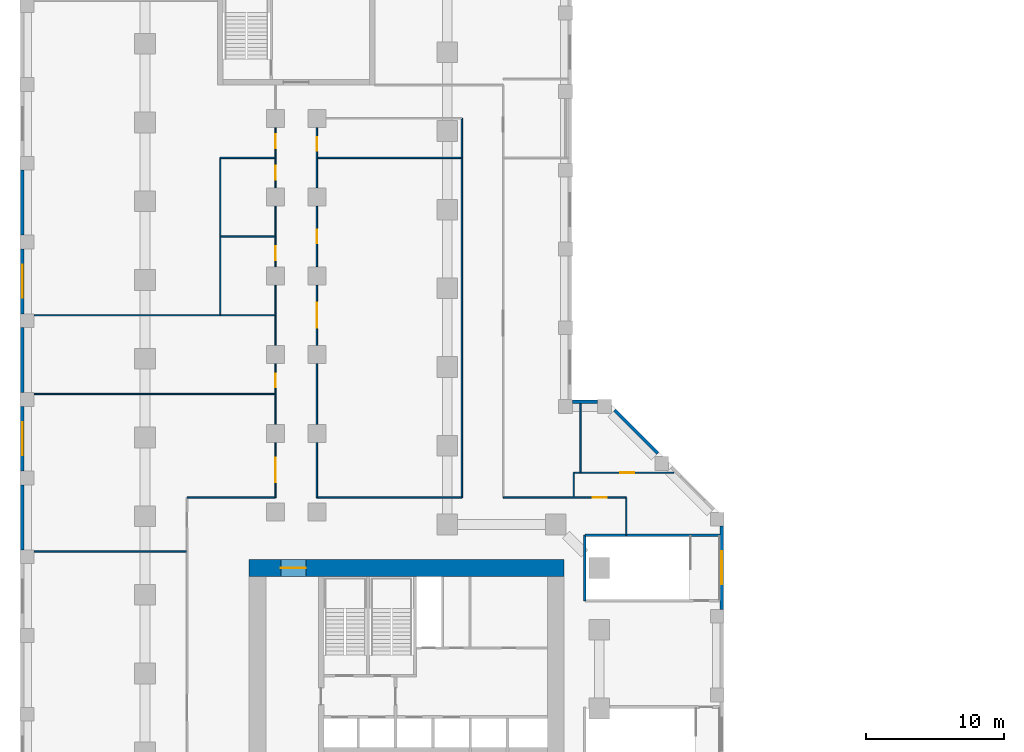
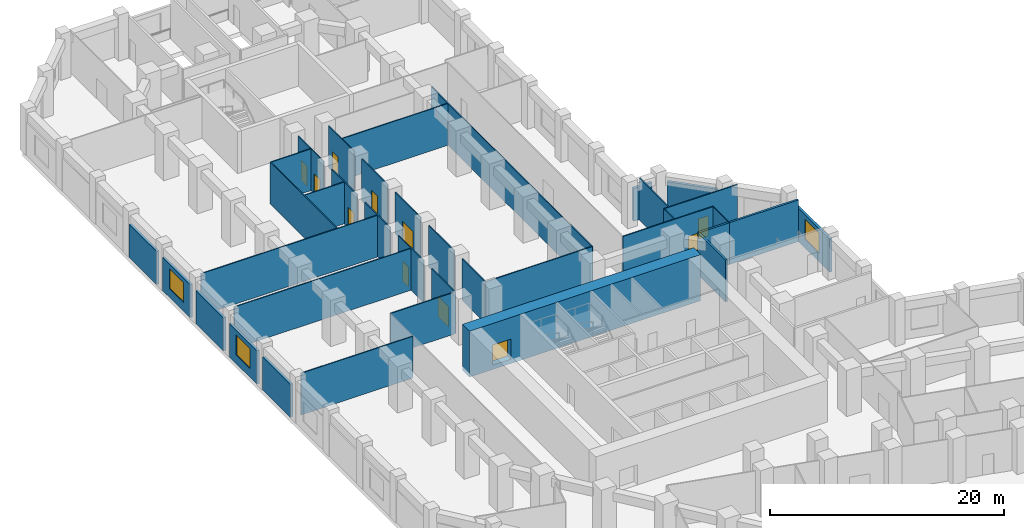
# One storey, part 9 of 13: 37 walls, 11 doors, 3 windows, 14 openings.
"""IFC4 building model written with IfcOpenShell, lengths in metres."""

import ifcopenshell
import ifcopenshell.guid

model = None  # the IFC model being written
_history = None  # IfcOwnerHistory: only IFC2X3 demands one
_inside = {}  # id of a spatial element -> (the spatial element, [elements in it])
_under = {}  # id of a project, library or spatial element -> (it, [spatial elements below it])
_declared = {}  # id of a project -> (the project, [libraries it declares])
_typed = {}  # id of a type object -> (the type object, [elements of that type])
_made_of = {}  # id of a material, layer set ... -> (it, [elements and type objects made of it])


def new_model(schema):
    """Start an empty IFC model of exactly this schema.

    Asked for "IFC4X3", IfcOpenShell would pick the latest addendum, in which some entities
    have other attributes; the version numbers below select the first issue.
    IFC2X3 requires an IfcOwnerHistory on every rooted entity: one is made here for all.
    """
    global model, _history
    if schema == "IFC4X3":
        model = ifcopenshell.file(schema_version=(4, 3, 0, 0))
    else:
        model = ifcopenshell.file(schema=schema)
    _inside.clear()
    _under.clear()
    _declared.clear()
    _typed.clear()
    _made_of.clear()
    _history = None
    if model.schema == "IFC2X3":
        org = make("IfcOrganization", Name="unknown")
        user = make(
            "IfcPersonAndOrganization",
            ThePerson=make("IfcPerson", FamilyName="unknown"),
            TheOrganization=org,
        )
        app = make(
            "IfcApplication",
            ApplicationDeveloper=org,
            Version="unknown",
            ApplicationFullName="unknown",
            ApplicationIdentifier="unknown",
        )
        _history = make(
            "IfcOwnerHistory",
            OwningUser=user,
            OwningApplication=app,
            ChangeAction="ADDED",
            CreationDate=0,
        )
    return model


def make(cls, **values):
    """One entity of the class cls with the attributes given. An attribute that is None is left unset."""
    return model.create_entity(
        cls, **{name: value for name, value in values.items() if value is not None}
    )


def rooted(cls, **values):
    """An entity with a GlobalId (a new one), such as an element, a storey or a relation."""
    return make(cls, GlobalId=ifcopenshell.guid.new(), OwnerHistory=_history, **values)


def si_unit(unit_type, name, prefix=None):
    """IfcSIUnit, for example si_unit("LENGTHUNIT", "METRE", prefix="MILLI")."""
    return make("IfcSIUnit", UnitType=unit_type, Prefix=prefix, Name=name)


def assignment(units):
    """IfcUnitAssignment: the units of a project."""
    return None if units is None else make("IfcUnitAssignment", Units=units)


def point(xyz):
    """IfcCartesianPoint."""
    return None if xyz is None else make("IfcCartesianPoint", Coordinates=xyz)


def direction(xyz):
    """IfcDirection."""
    return None if xyz is None else make("IfcDirection", DirectionRatios=xyz)


def frame(location, z_axis=None, x_axis=None):
    """IfcAxis2Placement3D, a coordinate frame: its origin and axes. An axis left out is left unset."""
    return make(
        "IfcAxis2Placement3D",
        Location=point(location),
        Axis=direction(z_axis),
        RefDirection=direction(x_axis),
    )


def frame_2d(location, x_axis=None):
    """IfcAxis2Placement2D, a coordinate frame in the plane: its origin and x axis."""
    return make(
        "IfcAxis2Placement2D", Location=point(location), RefDirection=direction(x_axis)
    )


def origin():
    """The frame at (0, 0, 0) with its axes left unset."""
    return frame((0.0, 0.0, 0.0))


def place(relative_to, where):
    """IfcLocalPlacement: puts the frame where relative to a parent placement (None: the world)."""
    return make(
        "IfcLocalPlacement", PlacementRelTo=relative_to, RelativePlacement=where
    )


def context(
    kind, dimensions, precision=None, world=None, true_north=None, identifier=None
):
    """IfcGeometricRepresentationContext, for example the 3D "Model" context."""
    return make(
        "IfcGeometricRepresentationContext",
        ContextIdentifier=identifier,
        ContextType=kind,
        CoordinateSpaceDimension=dimensions,
        Precision=precision,
        WorldCoordinateSystem=world,
        TrueNorth=true_north,
    )


def subcontext(parent, identifier, kind, view, scale=None):
    """IfcGeometricRepresentationSubContext, for example "Body" below "Model"."""
    return make(
        "IfcGeometricRepresentationSubContext",
        ContextIdentifier=identifier,
        ContextType=kind,
        ParentContext=parent,
        TargetScale=scale,
        TargetView=view,
    )


def project(units=None, contexts=None):
    """IfcProject with its units and contexts."""
    return rooted(
        "IfcProject",
        Name="project",
        RepresentationContexts=contexts,
        UnitsInContext=assignment(units),
    )


def spatial(cls, under=None, at=None, **own):
    """A site, building, storey or space (cls), placed at a placement, below another one or the project."""
    s = rooted(cls, ObjectPlacement=at, **own)
    if under is not None:
        _under.setdefault(under.id(), (under, []))[1].append(s)
    return s


def profile(cls, at=None, kind="AREA", **sizes):
    """A parametric profile (cls). Its sizes go by their IFC names, for example OverallWidth=200.0."""
    return make(cls, ProfileType=kind, Position=at, **sizes)


def rectangle(**sizes):
    """IfcRectangleProfileDef."""
    return profile("IfcRectangleProfileDef", **sizes)


def extrude(swept, where, along, depth):
    """IfcExtrudedAreaSolid: the profile swept, set in the frame where, extruded along a direction by depth."""
    return make(
        "IfcExtrudedAreaSolid",
        SweptArea=swept,
        Position=where,
        ExtrudedDirection=direction(along),
        Depth=depth,
    )


def shape(context_of_items, identifier, shape_type, items):
    """IfcShapeRepresentation: the items that make up one representation, for example the "Body"."""
    return make(
        "IfcShapeRepresentation",
        ContextOfItems=context_of_items,
        RepresentationIdentifier=identifier,
        RepresentationType=shape_type,
        Items=items,
    )


def material(Name=None, Category=None):
    """IfcMaterial."""
    return make("IfcMaterial", Name=Name, Category=Category)


def layer(
    of_material, thickness, ventilated=None, Name=None, Category=None, Priority=None
):
    """IfcMaterialLayer: one layer of a wall or slab, of a material (None: an air gap)."""
    return make(
        "IfcMaterialLayer",
        Material=of_material,
        LayerThickness=thickness,
        IsVentilated=ventilated,
        Name=Name,
        Category=Category,
        Priority=Priority,
    )


def layer_set(layers, Name=None):
    """IfcMaterialLayerSet."""
    return make("IfcMaterialLayerSet", MaterialLayers=layers, LayerSetName=Name)


def made_of(thing, what):
    """Note that an element or type object is made of a material, layer set ...; save() writes the relation."""
    if what is not None:
        _made_of.setdefault(what.id(), (what, []))[1].append(thing)
    return thing


def type_object(cls, material=None, **own):
    """A type object (cls), such as IfcWallType, which elements share."""
    return made_of(rooted(cls, **own), material)


def element(
    cls,
    number,
    at=None,
    inside=None,
    cuts=None,
    type_object=None,
    material=None,
    context=None,
    identifier="Body",
    shape_type=None,
    held_by="IfcProductDefinitionShape",
    body=None,
    shapes=None,
    **own,
):
    """One element of the class cls, such as IfcWall. Its Tag is "e" and its number.

    at: its placement. inside: the storey or other place that contains it. cuts: it is an
    opening in that element (IfcRelVoidsElement). A single representation is given by context,
    identifier, shape_type and body (its items); several are given by shapes. held_by: the class
    of the entity that holds the representations. save() writes the other relations.
    """
    e = rooted(cls, Tag="e%d" % number, ObjectPlacement=at, **own)
    if body is not None:
        shapes = [shape(context, identifier, shape_type, body)]
    if shapes is not None:
        e.Representation = make(held_by, Representations=shapes)
    if inside is not None:
        _inside.setdefault(inside.id(), (inside, []))[1].append(e)
    if cuts is not None:
        rooted(
            "IfcRelVoidsElement", RelatingBuildingElement=cuts, RelatedOpeningElement=e
        )
    if type_object is not None:
        _typed.setdefault(type_object.id(), (type_object, []))[1].append(e)
    return made_of(e, material)


def fill(opening, filler):
    """IfcRelFillsElement: the door or window that sits in an opening."""
    return rooted(
        "IfcRelFillsElement",
        RelatingOpeningElement=opening,
        RelatedBuildingElement=filler,
    )


def aggregate(whole, parts):
    """IfcRelAggregates: a whole, such as a stair, and the parts it consists of."""
    return rooted("IfcRelAggregates", RelatingObject=whole, RelatedObjects=parts)


def save(model, path):
    """Write the relations noted so far, then the file.

    IfcRelAggregates (storeys below a building ...), IfcRelContainedInSpatialStructure (elements
    in a storey), IfcRelDefinesByType, IfcRelAssociatesMaterial and IfcRelDeclares: one each for
    every whole, place, type object, material and project.
    """
    for whole, parts in _under.values():
        aggregate(whole, parts)
    for where, things in _inside.values():
        rooted(
            "IfcRelContainedInSpatialStructure",
            RelatedElements=things,
            RelatingStructure=where,
        )
    for kind, things in _typed.values():
        rooted("IfcRelDefinesByType", RelatedObjects=things, RelatingType=kind)
    for what, things in _made_of.values():
        rooted("IfcRelAssociatesMaterial", RelatedObjects=things, RelatingMaterial=what)
    for by, libraries in _declared.values():
        rooted("IfcRelDeclares", RelatingContext=by, RelatedDefinitions=libraries)
    model.write(path)


model = new_model("IFC4")

# Units and contexts
model_context = context("Model", 3, precision=1e-05, world=origin(), true_north=direction((0.0, 1.0)))
body_context = subcontext(model_context, "Body", "Model", "MODEL_VIEW")
ifc_project = project(units=[si_unit("LENGTHUNIT", "METRE"), si_unit("AREAUNIT", "SQUARE_METRE"), si_unit("VOLUMEUNIT", "CUBIC_METRE"), si_unit("PLANEANGLEUNIT", "RADIAN"), si_unit("MASSUNIT", "GRAM", prefix="KILO")], contexts=[model_context])

# Site, building, storey
site_placement = place(None, origin())
site = spatial("IfcSite", under=ifc_project, at=site_placement, CompositionType="ELEMENT")
building_placement = place(site_placement, origin())
building = spatial("IfcBuilding", under=site, at=building_placement, Name="Meshkara Civic Tower", CompositionType="ELEMENT")
storey_placement = place(building_placement, frame((0.0, 0.0, 28.199951171875)))
storey = spatial("IfcBuildingStorey", under=building, at=storey_placement, Name="L05", CompositionType="ELEMENT", Elevation=28.199951171875)

# Wall, opening, door
ifc_material_1 = material(Name="Concrete C80", Category="concrete")
ifc_layer_1 = layer(ifc_material_1, 1.199951171875)
ifc_layer_set_1 = layer_set([ifc_layer_1], Name="Core ring wall 1200 C80")
wall_type_1 = type_object("IfcWallType", Name="Core ring wall 1200 C80", PredefinedType="SHEAR", material=ifc_layer_set_1)
wall_1_placement = place(storey_placement, frame((8.0, 36.300048828125, -0.449951171875), z_axis=(0.0, 0.0, 1.0), x_axis=(1.0, 0.0, 0.0)))
wall_1 = element("IfcWall", 1, at=wall_1_placement, inside=storey, type_object=wall_type_1, Name="L05-C002", PredefinedType="SHEAR", context=body_context, shape_type="SweptSolid", body=[
    extrude(rectangle(XDim=22.800048828125, YDim=1.199951171875, at=frame_2d((11.39990234375, 0.0))), origin(), (0.0, 0.0, 1.0), 4.800048828125),
])
opening_1_placement = place(wall_1_placement, frame((2.300048828125, 0.0, 0.449951171875)))
opening_1 = element("IfcOpeningElement", 2, at=opening_1_placement, cuts=wall_1, Name="Opening L05-K020", PredefinedType="OPENING", context=body_context, shape_type="SweptSolid", body=[
    extrude(rectangle(XDim=1.800048828125, YDim=2.10009765625, at=frame_2d((0.89990234375, 1.050048828125))), frame((0.0, 0.60986328125, 0.0), z_axis=(0.0, -1.0, 0.0), x_axis=(1.0, 0.0, 0.0)), (0.0, 0.0, 1.0), 1.219970703125),
])
ifc_material_2 = material(Name="Fire-rated door leaf in steel frame", Category="steel")
door_type_1 = type_object("IfcDoorType", Name="Core double door 1800 EI 60", OperationType="DOUBLE_DOOR_SINGLE_SWING", PredefinedType="DOOR", material=ifc_material_2)
door_1_placement = place(opening_1_placement, origin())
door_1 = element("IfcDoor", 3, at=door_1_placement, inside=storey, type_object=door_type_1, Name="L05-K020", OperationType="DOUBLE_DOOR_SINGLE_SWING", OverallHeight=2.10009765625, OverallWidth=1.800048828125, PredefinedType="DOOR", context=body_context, shape_type="SweptSolid", body=[
    extrude(rectangle(XDim=1.800048828125, YDim=2.10009765625, at=frame_2d((0.89990234375, 1.050048828125))), frame((0.0, 0.02490234375, 0.0), z_axis=(0.0, -1.0, 0.0), x_axis=(1.0, 0.0, 0.0)), (0.0, 0.0, 1.0), 0.050048828125),
])
fill(opening_1, door_1)

# Wall
ifc_material_3 = material(Name="Corridor wall 100")
ifc_layer_2 = layer(ifc_material_3, 0.10009765625)
ifc_layer_set_2 = layer_set([ifc_layer_2], Name="Corridor wall 100")
wall_type_2 = type_object("IfcWallType", Name="Corridor wall 100", PredefinedType="PARTITIONING", material=ifc_layer_set_2)
wall_2_placement = place(storey_placement, frame((9.89990234375, 41.39990234375, 0.0), z_axis=(0.0, 0.0, 1.0), x_axis=(-1.0, 0.0, 0.0)))
element("IfcWall", 4, at=wall_2_placement, inside=storey, type_object=wall_type_2, Name="L05-R011", PredefinedType="PARTITIONING", context=body_context, shape_type="SweptSolid", body=[
    extrude(rectangle(XDim=6.39990234375, YDim=0.10009765625, at=frame_2d((3.199951171875, 0.0))), origin(), (0.0, 0.0, 1.0), 4.35009765625),
])

# Wall, opening, door
wall_3_placement = place(storey_placement, frame((9.89990234375, 45.3798828125, 0.0), z_axis=(0.0, 0.0, 1.0), x_axis=(0.0, -1.0, 0.0)))
wall_3 = element("IfcWall", 5, at=wall_3_placement, inside=storey, type_object=wall_type_2, Name="L05-R012", PredefinedType="PARTITIONING", context=body_context, shape_type="SweptSolid", body=[
    extrude(rectangle(XDim=3.97998046875, YDim=0.10009765625, at=frame_2d((1.989990234375, 0.0))), origin(), (0.0, 0.0, 1.0), 4.35009765625),
])
opening_2_placement = place(wall_3_placement, frame((1.080078125, 0.0, 0.0)))
opening_2 = element("IfcOpeningElement", 6, at=opening_2_placement, cuts=wall_3, Name="Opening L05-P028", PredefinedType="OPENING", context=body_context, shape_type="SweptSolid", body=[
    extrude(rectangle(XDim=1.800048828125, YDim=2.10009765625, at=frame_2d((0.89990234375, 1.050048828125))), frame((0.0, 0.06005859375, 0.0), z_axis=(0.0, -1.0, 0.0), x_axis=(1.0, 0.0, 0.0)), (0.0, 0.0, 1.0), 0.1201171875),
])
ifc_material_4 = material(Name="Door pair 1800 x 2100")
door_type_2 = type_object("IfcDoorType", Name="Door pair 1800 x 2100", OperationType="SINGLE_SWING_LEFT", PredefinedType="DOOR", material=ifc_material_4)
door_2_placement = place(opening_2_placement, origin())
door_2 = element("IfcDoor", 7, at=door_2_placement, inside=storey, type_object=door_type_2, Name="L05-P028", OperationType="DOUBLE_DOOR_SINGLE_SWING", OverallHeight=2.10009765625, OverallWidth=1.800048828125, PredefinedType="DOOR", context=body_context, shape_type="SweptSolid", body=[
    extrude(rectangle(XDim=1.800048828125, YDim=2.10009765625, at=frame_2d((0.89990234375, 1.050048828125))), frame((0.0, 0.02490234375, 0.0), z_axis=(0.0, -1.0, 0.0), x_axis=(1.0, 0.0, 0.0)), (0.0, 0.0, 1.0), 0.050048828125),
])
fill(opening_2, door_2)

wall_4_placement = place(storey_placement, frame((9.89990234375, 46.719970703125, 0.0), z_axis=(0.0, 0.0, 1.0), x_axis=(0.0, 1.0, 0.0)))
wall_4 = element("IfcWall", 8, at=wall_4_placement, inside=storey, type_object=wall_type_2, Name="L05-R013", PredefinedType="PARTITIONING", context=body_context, shape_type="SweptSolid", body=[
    extrude(rectangle(XDim=4.360107421875, YDim=0.10009765625, at=frame_2d((2.18017578125, 0.0))), origin(), (0.0, 0.0, 1.0), 4.35009765625),
])
opening_3_placement = place(wall_4_placement, frame((2.659912109375, 0.0, 0.0)))
opening_3 = element("IfcOpeningElement", 9, at=opening_3_placement, cuts=wall_4, Name="Opening L05-P030", PredefinedType="OPENING", context=body_context, shape_type="SweptSolid", body=[
    extrude(rectangle(XDim=1.0, YDim=2.10009765625, at=frame_2d((0.5, 1.050048828125))), frame((0.0, 0.06005859375, 0.0), z_axis=(0.0, -1.0, 0.0), x_axis=(1.0, 0.0, 0.0)), (0.0, 0.0, 1.0), 0.1201171875),
])
ifc_material_5 = material(Name="Door 1000 x 2100")
door_type_3 = type_object("IfcDoorType", Name="Door 1000 x 2100", OperationType="SINGLE_SWING_LEFT", PredefinedType="DOOR", material=ifc_material_5)
door_3_placement = place(opening_3_placement, origin())
door_3 = element("IfcDoor", 10, at=door_3_placement, inside=storey, type_object=door_type_3, Name="L05-P030", OperationType="SINGLE_SWING_LEFT", OverallHeight=2.10009765625, OverallWidth=1.0, PredefinedType="DOOR", context=body_context, shape_type="SweptSolid", body=[
    extrude(rectangle(XDim=1.0, YDim=2.10009765625, at=frame_2d((0.5, 1.050048828125))), frame((0.0, 0.02490234375, 0.0), z_axis=(0.0, -1.0, 0.0), x_axis=(1.0, 0.0, 0.0)), (0.0, 0.0, 1.0), 0.050048828125),
])
fill(opening_3, door_3)

# Wall
wall_5_placement = place(storey_placement, frame((9.89990234375, 52.419921875, 0.0), z_axis=(0.0, 0.0, 1.0), x_axis=(0.0, 1.0, 0.0)))
element("IfcWall", 11, at=wall_5_placement, inside=storey, type_object=wall_type_2, Name="L05-R014", PredefinedType="PARTITIONING", context=body_context, shape_type="SweptSolid", body=[
    extrude(rectangle(XDim=4.360107421875, YDim=0.10009765625, at=frame_2d((2.18017578125, 0.0))), origin(), (0.0, 0.0, 1.0), 4.35009765625),
])

# Wall, opening, door
wall_6_placement = place(storey_placement, frame((9.89990234375, 58.1201171875, 0.0), z_axis=(0.0, 0.0, 1.0), x_axis=(0.0, 1.0, 0.0)))
wall_6 = element("IfcWall", 12, at=wall_6_placement, inside=storey, type_object=wall_type_2, Name="L05-R015", PredefinedType="PARTITIONING", context=body_context, shape_type="SweptSolid", body=[
    extrude(rectangle(XDim=4.35986328125, YDim=0.10009765625, at=frame_2d((2.179931640625, 0.0))), origin(), (0.0, 0.0, 1.0), 4.35009765625),
])
opening_4_placement = place(wall_6_placement, frame((0.47998046875, 0.0, 0.0)))
opening_4 = element("IfcOpeningElement", 13, at=opening_4_placement, cuts=wall_6, Name="Opening L05-P031", PredefinedType="OPENING", context=body_context, shape_type="SweptSolid", body=[
    extrude(rectangle(XDim=1.0, YDim=2.10009765625, at=frame_2d((0.5, 1.050048828125))), frame((0.0, 0.06005859375, 0.0), z_axis=(0.0, -1.0, 0.0), x_axis=(1.0, 0.0, 0.0)), (0.0, 0.0, 1.0), 0.1201171875),
])
door_4_placement = place(opening_4_placement, origin())
door_4 = element("IfcDoor", 14, at=door_4_placement, inside=storey, type_object=door_type_3, Name="L05-P031", OperationType="SINGLE_SWING_LEFT", OverallHeight=2.10009765625, OverallWidth=1.0, PredefinedType="DOOR", context=body_context, shape_type="SweptSolid", body=[
    extrude(rectangle(XDim=1.0, YDim=2.10009765625, at=frame_2d((0.5, 1.050048828125))), frame((0.0, 0.02490234375, 0.0), z_axis=(0.0, -1.0, 0.0), x_axis=(1.0, 0.0, 0.0)), (0.0, 0.0, 1.0), 0.050048828125),
])
fill(opening_4, door_4)

# Wall, openings, doors
wall_7_placement = place(storey_placement, frame((9.89990234375, 68.179931640625, 0.0), z_axis=(0.0, 0.0, 1.0), x_axis=(0.0, -1.0, 0.0)))
wall_7 = element("IfcWall", 15, at=wall_7_placement, inside=storey, type_object=wall_type_2, Name="L05-R016", PredefinedType="PARTITIONING", context=body_context, shape_type="SweptSolid", body=[
    extrude(rectangle(XDim=4.35986328125, YDim=0.10009765625, at=frame_2d((2.179931640625, 0.0))), origin(), (0.0, 0.0, 1.0), 4.35009765625),
])
opening_5_placement = place(wall_7_placement, frame((2.760009765625, 0.0, 0.0)))
opening_5 = element("IfcOpeningElement", 16, at=opening_5_placement, cuts=wall_7, Name="Opening L05-P034", PredefinedType="OPENING", context=body_context, shape_type="SweptSolid", body=[
    extrude(rectangle(XDim=1.0, YDim=2.10009765625, at=frame_2d((0.5, 1.050048828125))), frame((0.0, 0.06005859375, 0.0), z_axis=(0.0, -1.0, 0.0), x_axis=(1.0, 0.0, 0.0)), (0.0, 0.0, 1.0), 0.1201171875),
])
opening_6_placement = place(wall_7_placement, frame((0.47998046875, 0.0, 0.0)))
opening_6 = element("IfcOpeningElement", 17, at=opening_6_placement, cuts=wall_7, Name="Opening L05-P036", PredefinedType="OPENING", context=body_context, shape_type="SweptSolid", body=[
    extrude(rectangle(XDim=1.0, YDim=2.10009765625, at=frame_2d((0.5, 1.050048828125))), frame((0.0, 0.06005859375, 0.0), z_axis=(0.0, -1.0, 0.0), x_axis=(1.0, 0.0, 0.0)), (0.0, 0.0, 1.0), 0.1201171875),
])
door_5_placement = place(opening_5_placement, origin())
door_5 = element("IfcDoor", 18, at=door_5_placement, inside=storey, type_object=door_type_3, Name="L05-P034", OperationType="SINGLE_SWING_LEFT", OverallHeight=2.10009765625, OverallWidth=1.0, PredefinedType="DOOR", context=body_context, shape_type="SweptSolid", body=[
    extrude(rectangle(XDim=1.0, YDim=2.10009765625, at=frame_2d((0.5, 1.050048828125))), frame((0.0, 0.02490234375, 0.0), z_axis=(0.0, -1.0, 0.0), x_axis=(1.0, 0.0, 0.0)), (0.0, 0.0, 1.0), 0.050048828125),
])
fill(opening_5, door_5)
door_6_placement = place(opening_6_placement, origin())
door_6 = element("IfcDoor", 19, at=door_6_placement, inside=storey, type_object=door_type_3, Name="L05-P036", OperationType="SINGLE_SWING_RIGHT", OverallHeight=2.10009765625, OverallWidth=1.0, PredefinedType="DOOR", context=body_context, shape_type="SweptSolid", body=[
    extrude(rectangle(XDim=1.0, YDim=2.10009765625, at=frame_2d((0.5, 1.050048828125))), frame((0.0, 0.02490234375, 0.0), z_axis=(0.0, -1.0, 0.0), x_axis=(1.0, 0.0, 0.0)), (0.0, 0.0, 1.0), 0.050048828125),
])
fill(opening_6, door_6)

# Walls
wall_8_placement = place(storey_placement, frame((12.89990234375, 41.39990234375, 0.0), z_axis=(0.0, 0.0, 1.0), x_axis=(0.0, 1.0, 0.0)))
element("IfcWall", 20, at=wall_8_placement, inside=storey, type_object=wall_type_2, Name="L05-R023", PredefinedType="PARTITIONING", context=body_context, shape_type="SweptSolid", body=[
    extrude(rectangle(XDim=3.97998046875, YDim=0.10009765625, at=frame_2d((1.989990234375, 0.0))), origin(), (0.0, 0.0, 1.0), 4.35009765625),
])
wall_9_placement = place(storey_placement, frame((12.89990234375, 46.719970703125, 0.0), z_axis=(0.0, 0.0, 1.0), x_axis=(0.0, 1.0, 0.0)))
element("IfcWall", 21, at=wall_9_placement, inside=storey, type_object=wall_type_2, Name="L05-R024", PredefinedType="PARTITIONING", context=body_context, shape_type="SweptSolid", body=[
    extrude(rectangle(XDim=4.360107421875, YDim=0.10009765625, at=frame_2d((2.18017578125, 0.0))), origin(), (0.0, 0.0, 1.0), 4.35009765625),
])

# Wall, opening, door
wall_10_placement = place(storey_placement, frame((12.89990234375, 52.419921875, 0.0), z_axis=(0.0, 0.0, 1.0), x_axis=(0.0, 1.0, 0.0)))
wall_10 = element("IfcWall", 22, at=wall_10_placement, inside=storey, type_object=wall_type_2, Name="L05-R025", PredefinedType="PARTITIONING", context=body_context, shape_type="SweptSolid", body=[
    extrude(rectangle(XDim=4.360107421875, YDim=0.10009765625, at=frame_2d((2.18017578125, 0.0))), origin(), (0.0, 0.0, 1.0), 4.35009765625),
])
opening_7_placement = place(wall_10_placement, frame((1.280029296875, 0.0, 0.0)))
opening_7 = element("IfcOpeningElement", 23, at=opening_7_placement, cuts=wall_10, Name="Opening L05-P032", PredefinedType="OPENING", context=body_context, shape_type="SweptSolid", body=[
    extrude(rectangle(XDim=1.800048828125, YDim=2.10009765625, at=frame_2d((0.89990234375, 1.050048828125))), frame((0.0, 0.06005859375, 0.0), z_axis=(0.0, -1.0, 0.0), x_axis=(1.0, 0.0, 0.0)), (0.0, 0.0, 1.0), 0.1201171875),
])
door_7_placement = place(opening_7_placement, origin())
door_7 = element("IfcDoor", 24, at=door_7_placement, inside=storey, type_object=door_type_2, Name="L05-P032", OperationType="DOUBLE_DOOR_SINGLE_SWING", OverallHeight=2.10009765625, OverallWidth=1.800048828125, PredefinedType="DOOR", context=body_context, shape_type="SweptSolid", body=[
    extrude(rectangle(XDim=1.800048828125, YDim=2.10009765625, at=frame_2d((0.89990234375, 1.050048828125))), frame((0.0, 0.02490234375, 0.0), z_axis=(0.0, -1.0, 0.0), x_axis=(1.0, 0.0, 0.0)), (0.0, 0.0, 1.0), 0.050048828125),
])
fill(opening_7, door_7)

wall_11_placement = place(storey_placement, frame((12.89990234375, 58.1201171875, 0.0), z_axis=(0.0, 0.0, 1.0), x_axis=(0.0, 1.0, 0.0)))
wall_11 = element("IfcWall", 25, at=wall_11_placement, inside=storey, type_object=wall_type_2, Name="L05-R026", PredefinedType="PARTITIONING", context=body_context, shape_type="SweptSolid", body=[
    extrude(rectangle(XDim=4.35986328125, YDim=0.10009765625, at=frame_2d((2.179931640625, 0.0))), origin(), (0.0, 0.0, 1.0), 4.35009765625),
])
opening_8_placement = place(wall_11_placement, frame((1.679931640625, 0.0, 0.0)))
opening_8 = element("IfcOpeningElement", 26, at=opening_8_placement, cuts=wall_11, Name="Opening L05-P035", PredefinedType="OPENING", context=body_context, shape_type="SweptSolid", body=[
    extrude(rectangle(XDim=1.0, YDim=2.10009765625, at=frame_2d((0.5, 1.050048828125))), frame((0.0, 0.06005859375, 0.0), z_axis=(0.0, -1.0, 0.0), x_axis=(1.0, 0.0, 0.0)), (0.0, 0.0, 1.0), 0.1201171875),
])
door_8_placement = place(opening_8_placement, origin())
door_8 = element("IfcDoor", 27, at=door_8_placement, inside=storey, type_object=door_type_3, Name="L05-P035", OperationType="SINGLE_SWING_LEFT", OverallHeight=2.10009765625, OverallWidth=1.0, PredefinedType="DOOR", context=body_context, shape_type="SweptSolid", body=[
    extrude(rectangle(XDim=1.0, YDim=2.10009765625, at=frame_2d((0.5, 1.050048828125))), frame((0.0, 0.02490234375, 0.0), z_axis=(0.0, -1.0, 0.0), x_axis=(1.0, 0.0, 0.0)), (0.0, 0.0, 1.0), 0.050048828125),
])
fill(opening_8, door_8)

wall_12_placement = place(storey_placement, frame((12.89990234375, 68.179931640625, 0.0), z_axis=(0.0, 0.0, 1.0), x_axis=(0.0, -1.0, 0.0)))
wall_12 = element("IfcWall", 28, at=wall_12_placement, inside=storey, type_object=wall_type_2, Name="L05-R027", PredefinedType="PARTITIONING", context=body_context, shape_type="SweptSolid", body=[
    extrude(rectangle(XDim=4.35986328125, YDim=0.10009765625, at=frame_2d((2.179931640625, 0.0))), origin(), (0.0, 0.0, 1.0), 4.35009765625),
])
opening_9_placement = place(wall_12_placement, frame((0.679931640625, 0.0, 0.0)))
opening_9 = element("IfcOpeningElement", 29, at=opening_9_placement, cuts=wall_12, Name="Opening L05-P037", PredefinedType="OPENING", context=body_context, shape_type="SweptSolid", body=[
    extrude(rectangle(XDim=1.0, YDim=2.10009765625, at=frame_2d((0.5, 1.050048828125))), frame((0.0, 0.06005859375, 0.0), z_axis=(0.0, -1.0, 0.0), x_axis=(1.0, 0.0, 0.0)), (0.0, 0.0, 1.0), 0.1201171875),
])
door_9_placement = place(opening_9_placement, origin())
door_9 = element("IfcDoor", 30, at=door_9_placement, inside=storey, type_object=door_type_3, Name="L05-P037", OperationType="SINGLE_SWING_RIGHT", OverallHeight=2.10009765625, OverallWidth=1.0, PredefinedType="DOOR", context=body_context, shape_type="SweptSolid", body=[
    extrude(rectangle(XDim=1.0, YDim=2.10009765625, at=frame_2d((0.5, 1.050048828125))), frame((0.0, 0.02490234375, 0.0), z_axis=(0.0, -1.0, 0.0), x_axis=(1.0, 0.0, 0.0)), (0.0, 0.0, 1.0), 0.050048828125),
])
fill(opening_9, door_9)

# Walls
wall_13_placement = place(storey_placement, frame((23.39990234375, 41.39990234375, 0.0), z_axis=(0.0, 0.0, 1.0), x_axis=(-1.0, 0.0, 0.0)))
element("IfcWall", 31, at=wall_13_placement, inside=storey, type_object=wall_type_2, Name="L05-R036", PredefinedType="PARTITIONING", context=body_context, shape_type="SweptSolid", body=[
    extrude(rectangle(XDim=10.5, YDim=0.10009765625, at=frame_2d((5.25, 0.0))), origin(), (0.0, 0.0, 1.0), 4.35009765625),
])
wall_14_placement = place(storey_placement, frame((23.39990234375, 68.8701171875, 0.0), z_axis=(0.0, 0.0, 1.0), x_axis=(0.0, -1.0, 0.0)))
element("IfcWall", 32, at=wall_14_placement, inside=storey, type_object=wall_type_2, Name="L05-R037", PredefinedType="PARTITIONING", context=body_context, shape_type="SweptSolid", body=[
    extrude(rectangle(XDim=27.47021484375, YDim=0.10009765625, at=frame_2d((13.735107421875, 0.0))), origin(), (0.0, 0.0, 1.0), 4.35009765625),
])

# Wall, opening, door
wall_15_placement = place(storey_placement, frame((26.39990234375, 41.39990234375, 0.0), z_axis=(0.0, 0.0, 1.0), x_axis=(1.0, 0.0, 0.0)))
wall_15 = element("IfcWall", 33, at=wall_15_placement, inside=storey, type_object=wall_type_2, Name="L05-R039", PredefinedType="PARTITIONING", context=body_context, shape_type="SweptSolid", body=[
    extrude(rectangle(XDim=8.900146484375, YDim=0.10009765625, at=frame_2d((4.4501953125, 0.0))), origin(), (0.0, 0.0, 1.0), 4.35009765625),
])
opening_10_placement = place(wall_15_placement, frame((6.47998046875, 0.0, 0.0)))
opening_10 = element("IfcOpeningElement", 34, at=opening_10_placement, cuts=wall_15, Name="Opening L05-P027", PredefinedType="OPENING", context=body_context, shape_type="SweptSolid", body=[
    extrude(rectangle(XDim=1.0, YDim=2.10009765625, at=frame_2d((0.5, 1.050048828125))), frame((0.0, 0.06005859375, 0.0), z_axis=(0.0, -1.0, 0.0), x_axis=(1.0, 0.0, 0.0)), (0.0, 0.0, 1.0), 0.1201171875),
])
door_10_placement = place(opening_10_placement, origin())
door_10 = element("IfcDoor", 35, at=door_10_placement, inside=storey, type_object=door_type_3, Name="L05-P027", OperationType="SINGLE_SWING_LEFT", OverallHeight=2.10009765625, OverallWidth=1.0, PredefinedType="DOOR", context=body_context, shape_type="SweptSolid", body=[
    extrude(rectangle(XDim=1.0, YDim=2.10009765625, at=frame_2d((0.5, 1.050048828125))), frame((0.0, 0.02490234375, 0.0), z_axis=(0.0, -1.0, 0.0), x_axis=(1.0, 0.0, 0.0)), (0.0, 0.0, 1.0), 0.050048828125),
])
fill(opening_10, door_10)

# Walls
wall_16_placement = place(storey_placement, frame((35.300048828125, 38.675048828125, 0.0), z_axis=(0.0, 0.0, 1.0), x_axis=(0.0, 1.0, 0.0)))
element("IfcWall", 36, at=wall_16_placement, inside=storey, type_object=wall_type_2, Name="L05-R050", PredefinedType="PARTITIONING", context=body_context, shape_type="SweptSolid", body=[
    extrude(rectangle(XDim=2.724853515625, YDim=0.10009765625, at=frame_2d((1.3623046875, 0.0))), origin(), (0.0, 0.0, 1.0), 4.35009765625),
])
ifc_material_6 = material(Name="Stone cladding on insulated backing wall", Category="masonry")
ifc_layer_3 = layer(ifc_material_6, 0.25)
ifc_layer_set_3 = layer_set([ifc_layer_3], Name="PODIUM STONE WALL 250")
wall_type_3 = type_object("IfcWallType", Name="PODIUM STONE WALL 250", PredefinedType="SOLIDWALL", material=ifc_layer_set_3)
wall_17_placement = place(storey_placement, frame((-8.425048828125, 65.111083984375, 0.0), z_axis=(0.0, 0.0, 1.0), x_axis=(0.0, -1.0, 0.0)))
element("IfcWall", 37, at=wall_17_placement, inside=storey, type_object=wall_type_3, Name="Podium external wall", PredefinedType="SOLIDWALL", context=body_context, shape_type="SweptSolid", body=[
    extrude(rectangle(XDim=4.7001953125, YDim=0.25, at=frame_2d((2.35009765625, 0.0))), origin(), (0.0, 0.0, 1.0), 3.449951171875),
])

# Wall, opening, window
wall_18_placement = place(storey_placement, frame((-8.425048828125, 59.410888671875, 0.0), z_axis=(0.0, 0.0, 1.0), x_axis=(0.0, -1.0, 0.0)))
wall_18 = element("IfcWall", 38, at=wall_18_placement, inside=storey, type_object=wall_type_3, Name="Podium external wall", PredefinedType="SOLIDWALL", context=body_context, shape_type="SweptSolid", body=[
    extrude(rectangle(XDim=4.699951171875, YDim=0.25, at=frame_2d((2.35009765625, 0.0))), origin(), (0.0, 0.0, 1.0), 3.449951171875),
])
opening_11_placement = place(wall_18_placement, frame((1.14990234375, 0.0, 0.89990234375)))
opening_11 = element("IfcOpeningElement", 39, at=opening_11_placement, cuts=wall_18, Name="Opening PW10", PredefinedType="OPENING", context=body_context, shape_type="SweptSolid", body=[
    extrude(rectangle(XDim=2.39990234375, YDim=2.10009765625, at=frame_2d((1.199951171875, 1.050048828125))), frame((0.0, 0.135009765625, 0.0), z_axis=(0.0, -1.0, 0.0), x_axis=(1.0, 0.0, 0.0)), (0.0, 0.0, 1.0), 0.27001953125),
])
ifc_material_7 = material(Name="Tinted double glazing", Category="glass")
window_type = type_object("IfcWindowType", Name="PODIUM WINDOW 2400x2100", PartitioningType="DOUBLE_PANEL_VERTICAL", PredefinedType="WINDOW", material=ifc_material_7)
window_1_placement = place(opening_11_placement, origin())
window_1 = element("IfcWindow", 40, at=window_1_placement, inside=storey, type_object=window_type, Name="Podium window", OverallHeight=2.10009765625, OverallWidth=2.39990234375, PartitioningType="DOUBLE_PANEL_VERTICAL", PredefinedType="WINDOW", context=body_context, shape_type="SweptSolid", body=[
    extrude(rectangle(XDim=2.39990234375, YDim=2.10009765625, at=frame_2d((1.199951171875, 1.050048828125))), frame((0.0, 0.030029296875, 0.0), z_axis=(0.0, -1.0, 0.0), x_axis=(1.0, 0.0, 0.0)), (0.0, 0.0, 1.0), 0.06005859375),
])
fill(opening_11, window_1)

# Wall
wall_19_placement = place(storey_placement, frame((-8.425048828125, 53.7109375, 0.0), z_axis=(0.0, 0.0, 1.0), x_axis=(0.0, -1.0, 0.0)))
element("IfcWall", 41, at=wall_19_placement, inside=storey, type_object=wall_type_3, Name="Podium external wall", PredefinedType="SOLIDWALL", context=body_context, shape_type="SweptSolid", body=[
    extrude(rectangle(XDim=4.699951171875, YDim=0.25, at=frame_2d((2.35009765625, 0.0))), origin(), (0.0, 0.0, 1.0), 3.449951171875),
])

# Wall, opening, window
wall_20_placement = place(storey_placement, frame((-8.425048828125, 48.010986328125, 0.0), z_axis=(0.0, 0.0, 1.0), x_axis=(0.0, -1.0, 0.0)))
wall_20 = element("IfcWall", 42, at=wall_20_placement, inside=storey, type_object=wall_type_3, Name="Podium external wall", PredefinedType="SOLIDWALL", context=body_context, shape_type="SweptSolid", body=[
    extrude(rectangle(XDim=4.699951171875, YDim=0.25, at=frame_2d((2.35009765625, 0.0))), origin(), (0.0, 0.0, 1.0), 3.449951171875),
])
opening_12_placement = place(wall_20_placement, frame((1.14990234375, 0.0, 0.89990234375)))
opening_12 = element("IfcOpeningElement", 43, at=opening_12_placement, cuts=wall_20, Name="Opening PW10", PredefinedType="OPENING", context=body_context, shape_type="SweptSolid", body=[
    extrude(rectangle(XDim=2.39990234375, YDim=2.10009765625, at=frame_2d((1.199951171875, 1.050048828125))), frame((0.0, 0.135009765625, 0.0), z_axis=(0.0, -1.0, 0.0), x_axis=(1.0, 0.0, 0.0)), (0.0, 0.0, 1.0), 0.27001953125),
])
window_2_placement = place(opening_12_placement, origin())
window_2 = element("IfcWindow", 44, at=window_2_placement, inside=storey, type_object=window_type, Name="Podium window", OverallHeight=2.10009765625, OverallWidth=2.39990234375, PartitioningType="DOUBLE_PANEL_VERTICAL", PredefinedType="WINDOW", context=body_context, shape_type="SweptSolid", body=[
    extrude(rectangle(XDim=2.39990234375, YDim=2.10009765625, at=frame_2d((1.199951171875, 1.050048828125))), frame((0.0, 0.030029296875, 0.0), z_axis=(0.0, -1.0, 0.0), x_axis=(1.0, 0.0, 0.0)), (0.0, 0.0, 1.0), 0.06005859375),
])
fill(opening_12, window_2)

# Wall
wall_21_placement = place(storey_placement, frame((-8.425048828125, 42.31103515625, 0.0), z_axis=(0.0, 0.0, 1.0), x_axis=(0.0, -1.0, 0.0)))
element("IfcWall", 45, at=wall_21_placement, inside=storey, type_object=wall_type_3, Name="Podium external wall", PredefinedType="SOLIDWALL", context=body_context, shape_type="SweptSolid", body=[
    extrude(rectangle(XDim=4.699951171875, YDim=0.25, at=frame_2d((2.35009765625, 0.0))), origin(), (0.0, 0.0, 1.0), 3.449951171875),
])

# Wall, opening, window
wall_22_placement = place(storey_placement, frame((42.22509765625, 33.299072265625, 0.0), z_axis=(0.0, 0.0, 1.0), x_axis=(0.0, 1.0, 0.0)))
wall_22 = element("IfcWall", 46, at=wall_22_placement, inside=storey, type_object=wall_type_3, Name="Podium external wall", PredefinedType="SOLIDWALL", context=body_context, shape_type="SweptSolid", body=[
    extrude(rectangle(XDim=6.036865234375, YDim=0.25, at=frame_2d((3.0185546875, 0.0))), origin(), (0.0, 0.0, 1.0), 3.449951171875),
])
opening_13_placement = place(wall_22_placement, frame((1.819091796875, 0.0, 0.89990234375)))
opening_13 = element("IfcOpeningElement", 47, at=opening_13_placement, cuts=wall_22, Name="Opening PW10", PredefinedType="OPENING", context=body_context, shape_type="SweptSolid", body=[
    extrude(rectangle(XDim=2.39990234375, YDim=2.10009765625, at=frame_2d((1.199951171875, 1.050048828125))), frame((0.0, 0.135009765625, 0.0), z_axis=(0.0, -1.0, 0.0), x_axis=(1.0, 0.0, 0.0)), (0.0, 0.0, 1.0), 0.27001953125),
])
window_3_placement = place(opening_13_placement, origin())
window_3 = element("IfcWindow", 48, at=window_3_placement, inside=storey, type_object=window_type, Name="Podium window", OverallHeight=2.10009765625, OverallWidth=2.39990234375, PartitioningType="DOUBLE_PANEL_VERTICAL", PredefinedType="WINDOW", context=body_context, shape_type="SweptSolid", body=[
    extrude(rectangle(XDim=2.39990234375, YDim=2.10009765625, at=frame_2d((1.199951171875, 1.050048828125))), frame((0.0, 0.030029296875, 0.0), z_axis=(0.0, -1.0, 0.0), x_axis=(1.0, 0.0, 0.0)), (0.0, 0.0, 1.0), 0.06005859375),
])
fill(opening_13, window_3)

# Walls
wall_23_placement = place(storey_placement, frame((37.59912109375, 44.596923828125, 0.0), z_axis=(0.0, 0.0, 1.0), x_axis=(-0.707106781187, 0.707106781187, 0.0)))
element("IfcWall", 49, at=wall_23_placement, inside=storey, type_object=wall_type_3, Name="Podium external wall", PredefinedType="SOLIDWALL", context=body_context, shape_type="SweptSolid", body=[
    extrude(rectangle(XDim=4.430908203125, YDim=0.25, at=frame_2d((2.21533203125, 0.0))), origin(), (0.0, 0.0, 1.0), 3.449951171875),
])
wall_24_placement = place(storey_placement, frame((33.236083984375, 48.324951171875, 0.0), z_axis=(0.0, 0.0, 1.0), x_axis=(-1.0, 0.0, 0.0)))
element("IfcWall", 50, at=wall_24_placement, inside=storey, type_object=wall_type_3, Name="Podium external wall", PredefinedType="SOLIDWALL", context=body_context, shape_type="SweptSolid", body=[
    extrude(rectangle(XDim=1.836181640625, YDim=0.25, at=frame_2d((0.91796875, 0.0))), origin(), (0.0, 0.0, 1.0), 3.449951171875),
])
ifc_material_8 = material(Name="Partition 100")
ifc_layer_4 = layer(ifc_material_8, 0.10009765625)
ifc_layer_set_4 = layer_set([ifc_layer_4], Name="Partition 100")
wall_type_4 = type_object("IfcWallType", Name="Partition 100", PredefinedType="PARTITIONING", material=ifc_layer_set_4)
wall_25_placement = place(storey_placement, frame((-7.580078125, 54.60009765625, 0.0), z_axis=(0.0, 0.0, 1.0), x_axis=(1.0, 0.0, 0.0)))
element("IfcWall", 51, at=wall_25_placement, inside=storey, type_object=wall_type_4, Name="L05-R082", PredefinedType="PARTITIONING", context=body_context, shape_type="SweptSolid", body=[
    extrude(rectangle(XDim=17.43017578125, YDim=0.10009765625, at=frame_2d((8.715087890625, 0.0))), origin(), (0.0, 0.0, 1.0), 4.35009765625),
])
wall_26_placement = place(storey_placement, frame((3.449951171875, 37.5, 0.0), z_axis=(0.0, 0.0, 1.0), x_axis=(-1.0, 0.0, 0.0)))
element("IfcWall", 52, at=wall_26_placement, inside=storey, type_object=wall_type_4, Name="L05-R083", PredefinedType="PARTITIONING", context=body_context, shape_type="SweptSolid", body=[
    extrude(rectangle(XDim=11.030029296875, YDim=0.10009765625, at=frame_2d((5.51513671875, 0.0))), origin(), (0.0, 0.0, 1.0), 4.35009765625),
])
wall_27_placement = place(storey_placement, frame((5.89990234375, 54.64990234375, 0.0), z_axis=(0.0, 0.0, 1.0), x_axis=(0.0, 1.0, 0.0)))
element("IfcWall", 53, at=wall_27_placement, inside=storey, type_object=wall_type_4, Name="L05-R085", PredefinedType="PARTITIONING", context=body_context, shape_type="SweptSolid", body=[
    extrude(rectangle(XDim=11.35009765625, YDim=0.10009765625, at=frame_2d((5.675048828125, 0.0))), origin(), (0.0, 0.0, 1.0), 4.35009765625),
])
wall_28_placement = place(storey_placement, frame((5.89990234375, 66.0, 0.0), z_axis=(0.0, 0.0, 1.0), x_axis=(1.0, 0.0, 0.0)))
element("IfcWall", 54, at=wall_28_placement, inside=storey, type_object=wall_type_4, Name="L05-R086", PredefinedType="PARTITIONING", context=body_context, shape_type="SweptSolid", body=[
    extrude(rectangle(XDim=3.9501953125, YDim=0.10009765625, at=frame_2d((1.97509765625, 0.0))), origin(), (0.0, 0.0, 1.0), 4.35009765625),
])
wall_29_placement = place(storey_placement, frame((9.85009765625, 48.89990234375, 0.0), z_axis=(0.0, 0.0, 1.0), x_axis=(-1.0, 0.0, 0.0)))
element("IfcWall", 55, at=wall_29_placement, inside=storey, type_object=wall_type_4, Name="L05-R087", PredefinedType="PARTITIONING", context=body_context, shape_type="SweptSolid", body=[
    extrude(rectangle(XDim=17.43017578125, YDim=0.10009765625, at=frame_2d((8.715087890625, 0.0))), origin(), (0.0, 0.0, 1.0), 4.35009765625),
])
wall_30_placement = place(storey_placement, frame((9.85009765625, 60.300048828125, 0.0), z_axis=(0.0, 0.0, 1.0), x_axis=(-1.0, 0.0, 0.0)))
element("IfcWall", 56, at=wall_30_placement, inside=storey, type_object=wall_type_4, Name="L05-R088", PredefinedType="PARTITIONING", context=body_context, shape_type="SweptSolid", body=[
    extrude(rectangle(XDim=3.900146484375, YDim=0.10009765625, at=frame_2d((1.9501953125, 0.0))), origin(), (0.0, 0.0, 1.0), 4.35009765625),
])
wall_31_placement = place(storey_placement, frame((23.35009765625, 66.0, 0.0), z_axis=(0.0, 0.0, 1.0), x_axis=(-1.0, 0.0, 0.0)))
element("IfcWall", 57, at=wall_31_placement, inside=storey, type_object=wall_type_4, Name="L05-R090", PredefinedType="PARTITIONING", context=body_context, shape_type="SweptSolid", body=[
    extrude(rectangle(XDim=10.400146484375, YDim=0.10009765625, at=frame_2d((5.2001953125, 0.0))), origin(), (0.0, 0.0, 1.0), 4.35009765625),
])
wall_32_placement = place(storey_placement, frame((31.5, 41.449951171875, 0.0), z_axis=(0.0, 0.0, 1.0), x_axis=(0.0, 1.0, 0.0)))
element("IfcWall", 58, at=wall_32_placement, inside=storey, type_object=wall_type_4, Name="L05-R095", PredefinedType="PARTITIONING", context=body_context, shape_type="SweptSolid", body=[
    extrude(rectangle(XDim=1.75, YDim=0.10009765625, at=frame_2d((0.875, 0.0))), origin(), (0.0, 0.0, 1.0), 4.35009765625),
])

# Wall, opening, door
wall_33_placement = place(storey_placement, frame((31.5, 43.199951171875, 0.0), z_axis=(0.0, 0.0, 1.0), x_axis=(1.0, 0.0, 0.0)))
wall_33 = element("IfcWall", 59, at=wall_33_placement, inside=storey, type_object=wall_type_4, Name="L05-R096", PredefinedType="PARTITIONING", context=body_context, shape_type="SweptSolid", body=[
    extrude(rectangle(XDim=7.248046875, YDim=0.10009765625, at=frame_2d((3.6240234375, 0.0))), origin(), (0.0, 0.0, 1.0), 4.35009765625),
])
opening_14_placement = place(wall_33_placement, frame((3.3740234375, 0.0, 0.0)))
opening_14 = element("IfcOpeningElement", 60, at=opening_14_placement, cuts=wall_33, Name="Opening L05-P029", PredefinedType="OPENING", context=body_context, shape_type="SweptSolid", body=[
    extrude(rectangle(XDim=1.0, YDim=2.10009765625, at=frame_2d((0.5, 1.050048828125))), frame((0.0, 0.06005859375, 0.0), z_axis=(0.0, -1.0, 0.0), x_axis=(1.0, 0.0, 0.0)), (0.0, 0.0, 1.0), 0.1201171875),
])
door_11_placement = place(opening_14_placement, origin())
door_11 = element("IfcDoor", 61, at=door_11_placement, inside=storey, type_object=door_type_3, Name="L05-P029", OperationType="SINGLE_SWING_LEFT", OverallHeight=2.10009765625, OverallWidth=1.0, PredefinedType="DOOR", context=body_context, shape_type="SweptSolid", body=[
    extrude(rectangle(XDim=1.0, YDim=2.10009765625, at=frame_2d((0.5, 1.050048828125))), frame((0.0, 0.02490234375, 0.0), z_axis=(0.0, -1.0, 0.0), x_axis=(1.0, 0.0, 0.0)), (0.0, 0.0, 1.0), 0.050048828125),
])
fill(opening_14, door_11)

# Walls
wall_34_placement = place(storey_placement, frame((32.0, 43.25, 0.0), z_axis=(0.0, 0.0, 1.0), x_axis=(0.0, 1.0, 0.0)))
element("IfcWall", 62, at=wall_34_placement, inside=storey, type_object=wall_type_4, Name="L05-R097", PredefinedType="PARTITIONING", context=body_context, shape_type="SweptSolid", body=[
    extrude(rectangle(XDim=4.949951171875, YDim=0.10009765625, at=frame_2d((2.47509765625, 0.0))), origin(), (0.0, 0.0, 1.0), 4.35009765625),
])
ifc_material_9 = material(Name="Concrete C40/50", Category="concrete")
ifc_layer_5 = layer(ifc_material_9, 0.199951171875)
ifc_layer_set_5 = layer_set([ifc_layer_5], Name="Stair enclosure wall 200 C40/50")
wall_type_5 = type_object("IfcWallType", Name="Stair enclosure wall 200 C40/50", PredefinedType="SOLIDWALL", material=ifc_layer_set_5)
wall_35_placement = place(storey_placement, frame((32.300048828125, 33.925048828125, 0.0), z_axis=(0.0, 0.0, 1.0), x_axis=(0.0, 1.0, 0.0)))
element("IfcWall", 63, at=wall_35_placement, inside=storey, type_object=wall_type_5, Name="L05-R044", PredefinedType="SOLIDWALL", context=body_context, shape_type="SweptSolid", body=[
    extrude(rectangle(XDim=4.75, YDim=0.199951171875, at=frame_2d((2.375, 0.0))), origin(), (0.0, 0.0, 1.0), 4.35009765625),
])
wall_36_placement = place(storey_placement, frame((32.300048828125, 38.675048828125, 0.0), z_axis=(0.0, 0.0, 1.0), x_axis=(1.0, 0.0, 0.0)))
element("IfcWall", 64, at=wall_36_placement, inside=storey, type_object=wall_type_5, Name="L05-R045", PredefinedType="SOLIDWALL", context=body_context, shape_type="SweptSolid", body=[
    extrude(rectangle(XDim=3.0, YDim=0.199951171875, at=frame_2d((1.5, 0.0))), origin(), (0.0, 0.0, 1.0), 4.35009765625),
])
wall_37_placement = place(storey_placement, frame((42.10009765625, 38.675048828125, 0.0), z_axis=(0.0, 0.0, 1.0), x_axis=(-1.0, 0.0, 0.0)))
element("IfcWall", 65, at=wall_37_placement, inside=storey, type_object=wall_type_5, Name="L05-R103", PredefinedType="SOLIDWALL", context=body_context, shape_type="SweptSolid", body=[
    extrude(rectangle(XDim=6.800048828125, YDim=0.199951171875, at=frame_2d((3.39990234375, 0.0))), origin(), (0.0, 0.0, 1.0), 4.35009765625),
])

save(model, "model.ifc")
